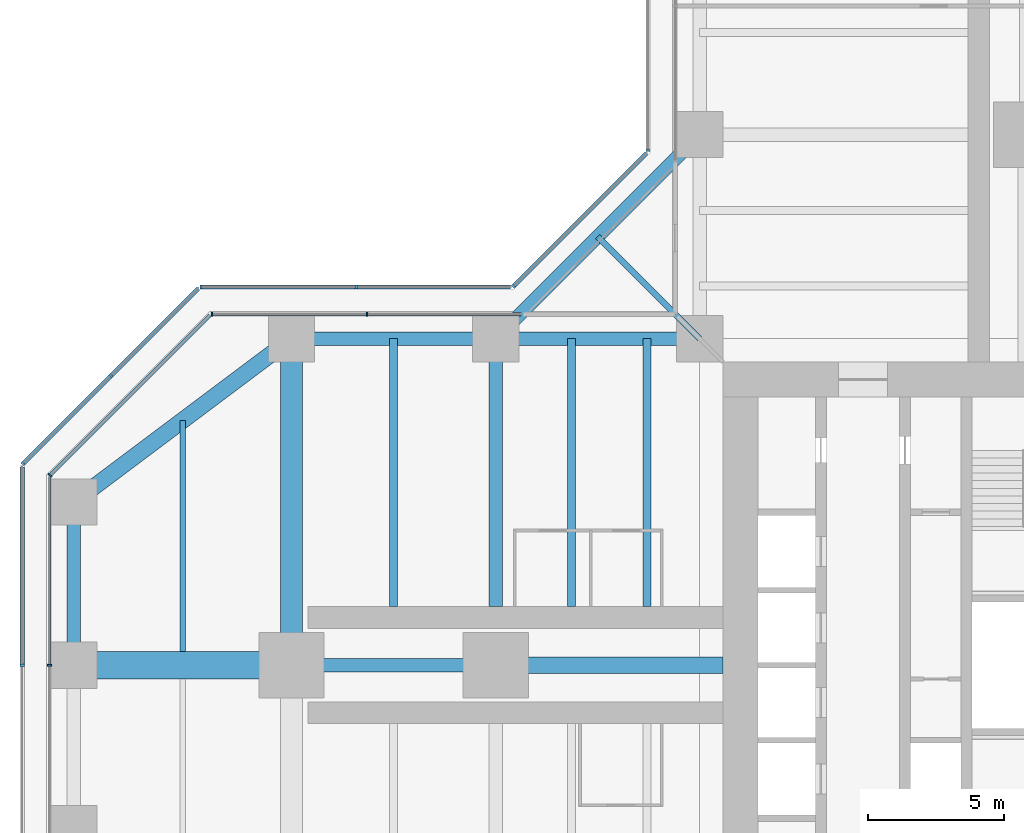
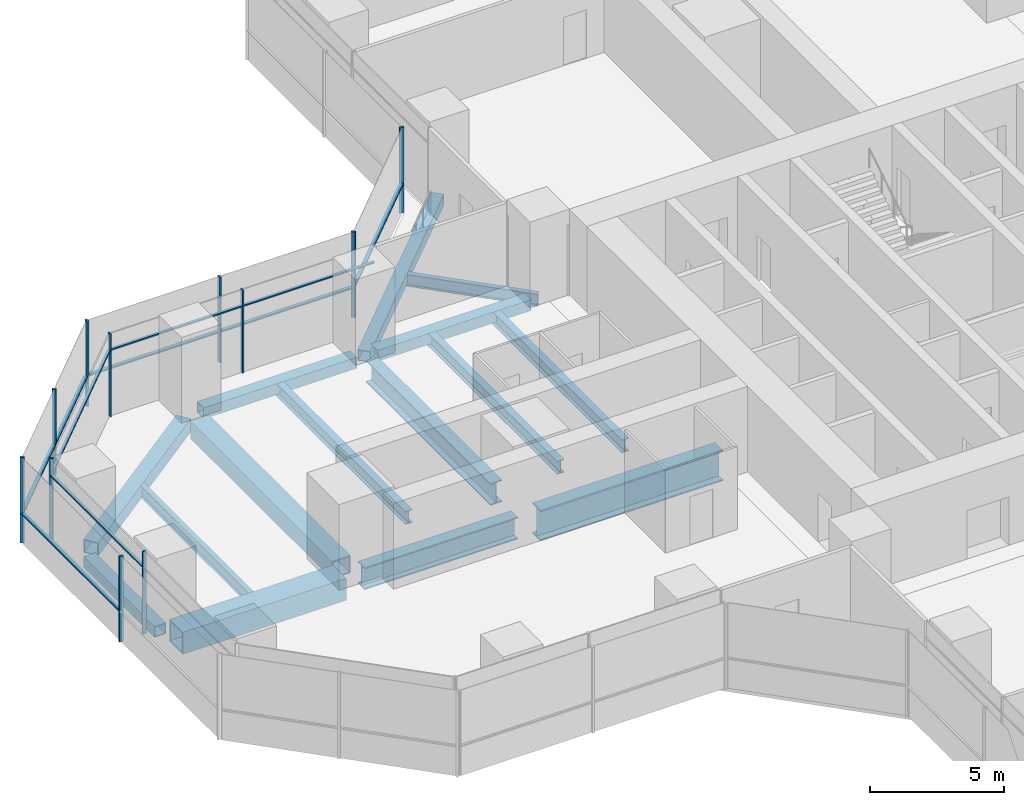
# One storey, part 8 of 22: 21 members, 15 beams, 8 elements without a shape of their own.
"""IFC4 building model written with IfcOpenShell, lengths in metres."""

from ifc_helpers import new_model, si_unit, direction, frame, origin, origin_2d, place, context, subcontext, project, spatial, rectangle, hollow_rectangle, i_section, extrude, material, material_profile, profile_set, type_object, element, aggregate, save


model = new_model("IFC4")

# Units and contexts
model_context = context("Model", 3, precision=1e-05, world=origin(), true_north=direction((0.0, 1.0)))
body_context = subcontext(model_context, "Body", "Model", "MODEL_VIEW")
ifc_project = project(units=[si_unit("LENGTHUNIT", "METRE"), si_unit("AREAUNIT", "SQUARE_METRE"), si_unit("VOLUMEUNIT", "CUBIC_METRE"), si_unit("PLANEANGLEUNIT", "RADIAN"), si_unit("MASSUNIT", "GRAM", prefix="KILO")], contexts=[model_context])

# Site, building, storey
site_placement = place(None, origin())
site = spatial("IfcSite", under=ifc_project, at=site_placement, CompositionType="ELEMENT")
building_placement = place(site_placement, origin())
building = spatial("IfcBuilding", under=site, at=building_placement, Name="Mizan Broadcast Tower", CompositionType="ELEMENT")
storey_placement = place(building_placement, frame((0.0, 0.0, 94.199951171875)))
storey = spatial("IfcBuildingStorey", under=building, at=storey_placement, Name="L20", CompositionType="ELEMENT", Elevation=94.199951171875)

# Beams
ifc_material_1 = material(Name="Steel S355", Category="steel")
ifc_material_profile_1 = material_profile(ifc_material_1, hollow_rectangle(XDim=0.5, YDim=0.5, WallThickness=0.030029296875, at=origin_2d()), Name="BOX 500x500x30")
ifc_profile_set_1 = profile_set([ifc_material_profile_1], Name="Steel S355")
beam_type_1 = type_object("IfcBeamType", Name="EDGE BEAM BOX 500x500x30", PredefinedType="SPANDREL", material=ifc_profile_set_1)
for number, where, z_axis, x_axis, name in (
    (1, (-12.449951171875, 12.0, -0.3798828125), (-1.0, 0.0, 0.0), (0.0, -1.0, 0.0), "Edge beam BOX 500x500x30 L20 west arm"),
    (2, (-19.949951171875, 12.0, -0.3798828125), (-1.0, 0.0, 0.0), (0.0, -1.0, 0.0), "Edge beam BOX 500x500x30 L20 west arm"),
):
    element("IfcBeam", number, at=place(storey_placement, frame(where, z_axis=z_axis, x_axis=x_axis)), inside=storey, type_object=beam_type_1, Name=name, PredefinedType="SPANDREL", context=body_context, shape_type="SweptSolid", body=[
        extrude(hollow_rectangle(XDim=0.5, YDim=0.5, WallThickness=0.030029296875, at=origin_2d()), origin(), (0.0, 0.0, 1.0), 6.60009765625),
    ])
beam_1_placement = place(storey_placement, frame((-35.0, 5.639892578125, -0.3798828125), z_axis=(0.0, -1.0, 0.0), x_axis=(1.0, 0.0, 0.0)))
element("IfcBeam", 3, at=beam_1_placement, inside=storey, type_object=beam_type_1, Name="Edge beam BOX 500x500x30 L20 west arm", PredefinedType="SPANDREL", context=body_context, shape_type="SweptSolid", body=[
    extrude(hollow_rectangle(XDim=0.5, YDim=0.5, WallThickness=0.030029296875, at=origin_2d()), origin(), (0.0, 0.0, 1.0), 5.27978515625),
])
beam_2_placement = place(storey_placement, frame((-12.0, 19.5, -0.3798828125), z_axis=(-0.707106781187, -0.707106781187, 0.0), x_axis=(0.707106781187, -0.707106781187, 0.0)))
element("IfcBeam", 4, at=beam_2_placement, inside=storey, type_object=beam_type_1, Name="Winter garden edge beam L20 N", PredefinedType="SPANDREL", context=body_context, shape_type="SweptSolid", body=[
    extrude(hollow_rectangle(XDim=0.5, YDim=0.5, WallThickness=0.030029296875, at=origin_2d()), origin(), (0.0, 0.0, 1.0), 10.606689453125),
])
ifc_material_2 = material(Name="Steel S355", Category="steel")
ifc_material_profile_2 = material_profile(ifc_material_2, hollow_rectangle(XDim=0.60009765625, YDim=0.60009765625, WallThickness=0.030029296875, at=origin_2d()), Name="BOX 600x600x30")
ifc_profile_set_2 = profile_set([ifc_material_profile_2], Name="Steel S355")
beam_type_2 = type_object("IfcBeamType", Name="EDGE BEAM BOX 600x600x30", PredefinedType="SPANDREL", material=ifc_profile_set_2)
beam_3_placement = place(storey_placement, frame((-27.47998046875, 11.639892578125, -0.429931640625), z_axis=(-0.800013316712, -0.599982243973, 0.0), x_axis=(0.599982243973, -0.800013316712, 0.0)))
element("IfcBeam", 5, at=beam_3_placement, inside=storey, type_object=beam_type_2, Name="Edge beam BOX 600x600x30 L20 west arm", PredefinedType="SPANDREL", context=body_context, shape_type="SweptSolid", body=[
    extrude(hollow_rectangle(XDim=0.60009765625, YDim=0.60009765625, WallThickness=0.030029296875, at=origin_2d()), origin(), (0.0, 0.0, 1.0), 8.7998046875),
])
ifc_material_3 = material(Name="Steel S460", Category="steel")
ifc_material_profile_3 = material_profile(ifc_material_3, hollow_rectangle(XDim=1.0, YDim=1.0, WallThickness=0.06005859375, at=origin_2d()), Name="BOX 1000x1000x60")
ifc_profile_set_3 = profile_set([ifc_material_profile_3], Name="Steel S460")
beam_type_3 = type_object("IfcBeamType", Name="GIRDER BOX 1000x1000x60", PredefinedType="BEAM", material=ifc_profile_set_3)
beam_4_placement = place(storey_placement, frame((-27.47998046875, 0.0, -0.6298828125), z_axis=(-1.0, 0.0, 0.0), x_axis=(0.0, -1.0, 0.0)))
element("IfcBeam", 6, at=beam_4_placement, inside=storey, type_object=beam_type_3, Name="Girder BOX 1000x1000x60 L20 west arm", PredefinedType="BEAM", context=body_context, shape_type="SweptSolid", body=[
    extrude(hollow_rectangle(XDim=1.0, YDim=1.0, WallThickness=0.06005859375, at=origin_2d()), origin(), (0.0, 0.0, 1.0), 7.0400390625),
])
ifc_material_4 = material(Name="Steel S460", Category="steel")
ifc_material_profile_4 = material_profile(ifc_material_4, hollow_rectangle(XDim=0.800048828125, YDim=0.800048828125, WallThickness=0.050048828125, at=origin_2d()), Name="BOX 800x800x50")
ifc_profile_set_4 = profile_set([ifc_material_profile_4], Name="Steel S460")
beam_type_4 = type_object("IfcBeamType", Name="GIRDER BOX 800x800x50", PredefinedType="BEAM", material=ifc_profile_set_4)
beam_5_placement = place(storey_placement, frame((-27.0, 11.280029296875, -0.530029296875), z_axis=(0.0, -1.0, 0.0), x_axis=(1.0, 0.0, 0.0)))
element("IfcBeam", 7, at=beam_5_placement, inside=storey, type_object=beam_type_4, Name="Girder BOX 800x800x50 L20 west arm", PredefinedType="BEAM", context=body_context, shape_type="SweptSolid", body=[
    extrude(hollow_rectangle(XDim=0.800048828125, YDim=0.800048828125, WallThickness=0.050048828125, at=origin_2d()), origin(), (0.0, 0.0, 1.0), 10.56005859375),
])
ifc_material_5 = material(Name="Steel S460", Category="steel")
ifc_material_profile_5 = material_profile(ifc_material_5, i_section(OverallWidth=0.5, OverallDepth=1.0, WebThickness=0.02490234375, FlangeThickness=0.050048828125, at=origin_2d()), Name="WPG 1000x500")
ifc_profile_set_5 = profile_set([ifc_material_profile_5], Name="Steel S460")
beam_type_5 = type_object("IfcBeamType", Name="GIRDER WPG 1000x500", PredefinedType="BEAM", material=ifc_profile_set_5)
beam_6_placement = place(storey_placement, frame((-19.949951171875, 0.0, -0.6298828125), z_axis=(-1.0, 0.0, 0.0), x_axis=(0.0, -1.0, 0.0)))
element("IfcBeam", 8, at=beam_6_placement, inside=storey, type_object=beam_type_5, Name="Girder WPG 1000x500 L20 west arm", PredefinedType="BEAM", context=body_context, shape_type="SweptSolid", body=[
    extrude(i_section(OverallWidth=0.5, OverallDepth=1.0, WebThickness=0.02490234375, FlangeThickness=0.050048828125, at=origin_2d()), origin(), (0.0, 0.0, 1.0), 6.60009765625),
])
beam_7_placement = place(storey_placement, frame((-19.5, 11.408935546875, -0.6298828125), z_axis=(0.0, -1.0, 0.0), x_axis=(1.0, 0.0, 0.0)))
element("IfcBeam", 9, at=beam_7_placement, inside=storey, type_object=beam_type_5, Name="Girder WPG 1000x500 L20 west arm", PredefinedType="BEAM", context=body_context, shape_type="SweptSolid", body=[
    extrude(i_section(OverallWidth=0.5, OverallDepth=1.0, WebThickness=0.02490234375, FlangeThickness=0.050048828125, at=origin_2d()), origin(), (0.0, 0.0, 1.0), 9.259033203125),
])
ifc_material_6 = material(Name="Steel S460", Category="steel")
ifc_material_profile_6 = material_profile(ifc_material_6, i_section(OverallWidth=0.60009765625, OverallDepth=1.39990234375, WebThickness=0.02490234375, FlangeThickness=0.06005859375, at=origin_2d()), Name="WPG 1400x600")
ifc_profile_set_6 = profile_set([ifc_material_profile_6], Name="Steel S460")
beam_type_6 = type_object("IfcBeamType", Name="GIRDER WPG 1400x600", PredefinedType="BEAM", material=ifc_profile_set_6)
beam_8_placement = place(storey_placement, frame((-11.14990234375, 0.0, -0.829833984375), z_axis=(-1.0, 0.0, 0.0), x_axis=(0.0, -1.0, 0.0)))
element("IfcBeam", 10, at=beam_8_placement, inside=storey, type_object=beam_type_6, Name="Girder WPG 1400x600 L20 west arm", PredefinedType="BEAM", context=body_context, shape_type="SweptSolid", body=[
    extrude(i_section(OverallWidth=0.60009765625, OverallDepth=1.39990234375, WebThickness=0.02490234375, FlangeThickness=0.06005859375, at=origin_2d()), origin(), (0.0, 0.0, 1.0), 7.84912109375),
])

# Curtain wall, members
ifc_material_7 = material(Name="Aluminium framed glazing", Category="aluminium")
curtain_wall_type_1 = type_object("IfcCurtainWallType", Name="INNER SKIN LOW ZONE", PredefinedType="USERDEFINED", material=ifc_material_7)
curtain_wall_1_placement = place(storey_placement, origin())
curtain_wall_1 = element("IfcCurtainWall", 11, at=curtain_wall_1_placement, inside=storey, type_object=curtain_wall_type_1, Name="Inner skin low zone L20 W side", ObjectType="INNER SKIN LOW ZONE", PredefinedType="USERDEFINED")
ifc_material_8 = material(Name="Aluminium, pale anodised", Category="aluminium")
ifc_material_profile_7 = material_profile(ifc_material_8, rectangle(XDim=0.159912109375, YDim=0.06005859375, at=origin_2d()), Name="MULLION 160x60")
ifc_profile_set_7 = profile_set([ifc_material_profile_7], Name="Aluminium, pale anodised")
member_type_1 = type_object("IfcMemberType", Name="INNER SKIN MULLION 60x160", PredefinedType="MULLION", material=ifc_profile_set_7)
member_1_placement = place(storey_placement, frame((-24.229248046875, 12.89990234375, 0.0), z_axis=(0.0, 0.0, 1.0), x_axis=(0.0, -1.0, 0.0)))
member_1 = element("IfcMember", 12, at=member_1_placement, type_object=member_type_1, Name="Inner skin low zone L20 W side mullion 2", PredefinedType="MULLION", context=body_context, shape_type="SweptSolid", body=[
    extrude(rectangle(XDim=0.159912109375, YDim=0.06005859375, at=origin_2d()), origin(), (0.0, 0.0, 1.0), 3.77001953125),
])
member_2_placement = place(storey_placement, frame((-29.928466796875, 12.89990234375, 0.0), z_axis=(0.0, 0.0, 1.0), x_axis=(0.0, -1.0, 0.0)))
member_2 = element("IfcMember", 13, at=member_2_placement, type_object=member_type_1, Name="Inner skin low zone L20 W side mullion 3", PredefinedType="MULLION", context=body_context, shape_type="SweptSolid", body=[
    extrude(rectangle(XDim=0.159912109375, YDim=0.06005859375, at=origin_2d()), origin(), (0.0, 0.0, 1.0), 3.77001953125),
])

# Curtain wall, member
curtain_wall_2_placement = place(storey_placement, origin())
curtain_wall_2 = element("IfcCurtainWall", 14, at=curtain_wall_2_placement, inside=storey, type_object=curtain_wall_type_1, Name="Inner skin low zone L20 W chamfer", ObjectType="INNER SKIN LOW ZONE", PredefinedType="USERDEFINED")
member_3_placement = place(storey_placement, frame((-35.87890625, 6.979736328125, 0.0), z_axis=(0.0, 0.0, 1.0), x_axis=(0.707106781187, -0.707106781187, 0.0)))
member_3 = element("IfcMember", 15, at=member_3_placement, type_object=member_type_1, Name="Inner skin low zone L20 W chamfer mullion 2", PredefinedType="MULLION", context=body_context, shape_type="SweptSolid", body=[
    extrude(rectangle(XDim=0.159912109375, YDim=0.06005859375, at=origin_2d()), origin(), (0.0, 0.0, 1.0), 3.77001953125),
])

curtain_wall_3_placement = place(storey_placement, origin())
curtain_wall_3 = element("IfcCurtainWall", 16, at=curtain_wall_3_placement, inside=storey, type_object=curtain_wall_type_1, Name="Inner skin low zone L20 W end", ObjectType="INNER SKIN LOW ZONE", PredefinedType="USERDEFINED")
member_4_placement = place(storey_placement, frame((-35.89990234375, 0.0, 0.0), z_axis=(0.0, 0.0, 1.0), x_axis=(1.0, 0.0, 0.0)))
member_4 = element("IfcMember", 17, at=member_4_placement, type_object=member_type_1, Name="Inner skin low zone L20 W end mullion 2", PredefinedType="MULLION", context=body_context, shape_type="SweptSolid", body=[
    extrude(rectangle(XDim=0.159912109375, YDim=0.06005859375, at=origin_2d()), origin(), (0.0, 0.0, 1.0), 3.77001953125),
])

# Member
ifc_material_9 = material(Name="Aluminium, pale anodised", Category="aluminium")
ifc_material_profile_8 = material_profile(ifc_material_9, rectangle(XDim=0.1201171875, YDim=0.06005859375, at=origin_2d()), Name="TRANSOM 120x60")
ifc_profile_set_8 = profile_set([ifc_material_profile_8], Name="Aluminium, pale anodised")
member_type_2 = type_object("IfcMemberType", Name="INNER SKIN TRANSOM 60x120", PredefinedType="USERDEFINED", material=ifc_profile_set_8)
member_5_placement = place(storey_placement, frame((-18.56005859375, 12.89990234375, 3.030029296875), z_axis=(-1.0, 0.0, 0.0), x_axis=(0.0, -1.0, 0.0)))
member_5 = element("IfcMember", 18, at=member_5_placement, type_object=member_type_2, Name="Inner skin low zone L20 W side transom 1.1", ObjectType="TRANSOM", PredefinedType="USERDEFINED", context=body_context, shape_type="SweptSolid", body=[
    extrude(rectangle(XDim=0.1201171875, YDim=0.06005859375, at=origin_2d()), origin(), (0.0, 0.0, 1.0), 5.63916015625),
])

member_6_placement = place(storey_placement, frame((-24.25927734375, 12.89990234375, 3.030029296875), z_axis=(-1.0, 0.0, 0.0), x_axis=(0.0, -1.0, 0.0)))
member_6 = element("IfcMember", 19, at=member_6_placement, type_object=member_type_2, Name="Inner skin low zone L20 W side transom 2.1", ObjectType="TRANSOM", PredefinedType="USERDEFINED", context=body_context, shape_type="SweptSolid", body=[
    extrude(rectangle(XDim=0.1201171875, YDim=0.06005859375, at=origin_2d()), origin(), (0.0, 0.0, 1.0), 5.639404296875),
])

aggregate(curtain_wall_1, [member_1, member_2, member_5, member_6])

member_7_placement = place(storey_placement, frame((-30.0009765625, 12.857666015625, 3.030029296875), z_axis=(-0.707106781187, -0.707106781187, 0.0), x_axis=(0.707106781187, -0.707106781187, 0.0)))
member_7 = element("IfcMember", 20, at=member_7_placement, type_object=member_type_2, Name="Inner skin low zone L20 W chamfer transom 1.1", ObjectType="TRANSOM", PredefinedType="USERDEFINED", context=body_context, shape_type="SweptSolid", body=[
    extrude(rectangle(XDim=0.1201171875, YDim=0.06005859375, at=origin_2d()), origin(), (0.0, 0.0, 1.0), 8.28271484375),
])

aggregate(curtain_wall_2, [member_3, member_7])

member_8_placement = place(storey_placement, frame((-35.89990234375, 6.898681640625, 3.030029296875), z_axis=(0.0, -1.0, 0.0), x_axis=(1.0, 0.0, 0.0)))
member_8 = element("IfcMember", 21, at=member_8_placement, type_object=member_type_2, Name="Inner skin low zone L20 W end transom 1.1", ObjectType="TRANSOM", PredefinedType="USERDEFINED", context=body_context, shape_type="SweptSolid", body=[
    extrude(rectangle(XDim=0.1201171875, YDim=0.06005859375, at=origin_2d()), origin(), (0.0, 0.0, 1.0), 6.86865234375),
])

aggregate(curtain_wall_3, [member_4, member_8])

# Curtain wall, member
ifc_material_10 = material(Name="Aluminium framed glazing", Category="aluminium")
curtain_wall_type_2 = type_object("IfcCurtainWallType", Name="OUTER SKIN", PredefinedType="USERDEFINED", material=ifc_material_10)
curtain_wall_4_placement = place(storey_placement, origin())
curtain_wall_4 = element("IfcCurtainWall", 22, at=curtain_wall_4_placement, inside=storey, type_object=curtain_wall_type_2, Name="Outer skin L20 N side", ObjectType="OUTER SKIN", PredefinedType="USERDEFINED")
ifc_material_11 = material(Name="Aluminium, pale anodised", Category="aluminium")
ifc_material_profile_9 = material_profile(ifc_material_11, rectangle(XDim=0.159912109375, YDim=0.080078125, at=origin_2d()), Name="MULLION 160x80")
ifc_profile_set_9 = profile_set([ifc_material_profile_9], Name="Aluminium, pale anodised")
member_type_3 = type_object("IfcMemberType", Name="OUTER SKIN MULLION 80x160", PredefinedType="MULLION", material=ifc_profile_set_9)
member_9_placement = place(storey_placement, frame((-13.89990234375, 18.912841796875, 0.0), z_axis=(0.0, 0.0, 1.0), x_axis=(1.0, 0.0, 0.0)))
member_9 = element("IfcMember", 23, at=member_9_placement, type_object=member_type_3, Name="Outer skin L20 N side mullion 3", PredefinedType="MULLION", context=body_context, shape_type="SweptSolid", body=[
    extrude(rectangle(XDim=0.159912109375, YDim=0.080078125, at=origin_2d()), origin(), (0.0, 0.0, 1.0), 3.900146484375),
])
aggregate(curtain_wall_4, [member_9])

curtain_wall_5_placement = place(storey_placement, origin())
curtain_wall_5 = element("IfcCurtainWall", 24, at=curtain_wall_5_placement, inside=storey, type_object=curtain_wall_type_2, Name="Outer skin L20 W chamfer", ObjectType="OUTER SKIN", PredefinedType="USERDEFINED")
member_10_placement = place(storey_placement, frame((-18.844482421875, 13.92822265625, 0.0), z_axis=(0.0, 0.0, 1.0), x_axis=(0.707106781187, -0.707106781187, 0.0)))
member_10 = element("IfcMember", 25, at=member_10_placement, type_object=member_type_3, Name="Outer skin L20 W chamfer mullion 2", PredefinedType="MULLION", context=body_context, shape_type="SweptSolid", body=[
    extrude(rectangle(XDim=0.159912109375, YDim=0.080078125, at=origin_2d()), origin(), (0.0, 0.0, 1.0), 3.900146484375),
])

# Curtain wall, members
curtain_wall_6_placement = place(storey_placement, origin())
curtain_wall_6 = element("IfcCurtainWall", 26, at=curtain_wall_6_placement, inside=storey, type_object=curtain_wall_type_2, Name="Outer skin L20 W side", ObjectType="OUTER SKIN", PredefinedType="USERDEFINED")
member_11_placement = place(storey_placement, frame((-24.622802734375, 13.89990234375, 0.0), z_axis=(0.0, 0.0, 1.0), x_axis=(0.0, -1.0, 0.0)))
member_11 = element("IfcMember", 27, at=member_11_placement, type_object=member_type_3, Name="Outer skin L20 W side mullion 2", PredefinedType="MULLION", context=body_context, shape_type="SweptSolid", body=[
    extrude(rectangle(XDim=0.159912109375, YDim=0.080078125, at=origin_2d()), origin(), (0.0, 0.0, 1.0), 3.900146484375),
])
member_12_placement = place(storey_placement, frame((-30.332763671875, 13.89990234375, 0.0), z_axis=(0.0, 0.0, 1.0), x_axis=(0.0, -1.0, 0.0)))
member_12 = element("IfcMember", 28, at=member_12_placement, type_object=member_type_3, Name="Outer skin L20 W side mullion 3", PredefinedType="MULLION", context=body_context, shape_type="SweptSolid", body=[
    extrude(rectangle(XDim=0.159912109375, YDim=0.080078125, at=origin_2d()), origin(), (0.0, 0.0, 1.0), 3.900146484375),
])

curtain_wall_7_placement = place(storey_placement, origin())
curtain_wall_7 = element("IfcCurtainWall", 29, at=curtain_wall_7_placement, inside=storey, type_object=curtain_wall_type_2, Name="Outer skin L20 W chamfer", ObjectType="OUTER SKIN", PredefinedType="USERDEFINED")
member_13_placement = place(storey_placement, frame((-33.636474609375, 10.636474609375, 0.0), z_axis=(0.0, 0.0, 1.0), x_axis=(0.707106781187, -0.707106781187, 0.0)))
member_13 = element("IfcMember", 30, at=member_13_placement, type_object=member_type_3, Name="Outer skin L20 W chamfer mullion 2", PredefinedType="MULLION", context=body_context, shape_type="SweptSolid", body=[
    extrude(rectangle(XDim=0.159912109375, YDim=0.080078125, at=origin_2d()), origin(), (0.0, 0.0, 1.0), 3.900146484375),
])
member_14_placement = place(storey_placement, frame((-36.871826171875, 7.401123046875, 0.0), z_axis=(0.0, 0.0, 1.0), x_axis=(0.707106781187, -0.707106781187, 0.0)))
member_14 = element("IfcMember", 31, at=member_14_placement, type_object=member_type_3, Name="Outer skin L20 W chamfer mullion 3", PredefinedType="MULLION", context=body_context, shape_type="SweptSolid", body=[
    extrude(rectangle(XDim=0.159912109375, YDim=0.080078125, at=origin_2d()), origin(), (0.0, 0.0, 1.0), 3.900146484375),
])

# Curtain wall, member
curtain_wall_8_placement = place(storey_placement, origin())
curtain_wall_8 = element("IfcCurtainWall", 32, at=curtain_wall_8_placement, inside=storey, type_object=curtain_wall_type_2, Name="Outer skin L20 W end", ObjectType="OUTER SKIN", PredefinedType="USERDEFINED")
member_15_placement = place(storey_placement, frame((-36.89990234375, 0.0, 0.0), z_axis=(0.0, 0.0, 1.0), x_axis=(1.0, 0.0, 0.0)))
member_15 = element("IfcMember", 33, at=member_15_placement, type_object=member_type_3, Name="Outer skin L20 W end mullion 2", PredefinedType="MULLION", context=body_context, shape_type="SweptSolid", body=[
    extrude(rectangle(XDim=0.159912109375, YDim=0.080078125, at=origin_2d()), origin(), (0.0, 0.0, 1.0), 3.900146484375),
])

# Member
ifc_material_12 = material(Name="Aluminium, pale anodised", Category="aluminium")
ifc_material_profile_10 = material_profile(ifc_material_12, rectangle(XDim=0.159912109375, YDim=0.06005859375, at=origin_2d()), Name="TRANSOM 160x60")
ifc_profile_set_10 = profile_set([ifc_material_profile_10], Name="Aluminium, pale anodised")
member_type_4 = type_object("IfcMemberType", Name="OUTER SKIN TRANSOM 60x160", PredefinedType="USERDEFINED", material=ifc_profile_set_10)
member_16_placement = place(storey_placement, frame((-13.95654296875, 18.816162109375, 1.400146484375), z_axis=(-0.707106781187, -0.707106781187, 0.0), x_axis=(0.707106781187, -0.707106781187, 0.0)))
member_16 = element("IfcMember", 34, at=member_16_placement, type_object=member_type_4, Name="Outer skin L20 W chamfer transom 1.1", ObjectType="TRANSOM", PredefinedType="USERDEFINED", context=body_context, shape_type="SweptSolid", body=[
    extrude(rectangle(XDim=0.159912109375, YDim=0.06005859375, at=origin_2d()), origin(), (0.0, 0.0, 1.0), 6.87255859375),
])

aggregate(curtain_wall_5, [member_10, member_16])

member_17_placement = place(storey_placement, frame((-18.952880859375, 13.89990234375, 1.400146484375), z_axis=(-1.0, 0.0, 0.0), x_axis=(0.0, -1.0, 0.0)))
member_17 = element("IfcMember", 35, at=member_17_placement, type_object=member_type_4, Name="Outer skin L20 W side transom 1.1", ObjectType="TRANSOM", PredefinedType="USERDEFINED", context=body_context, shape_type="SweptSolid", body=[
    extrude(rectangle(XDim=0.159912109375, YDim=0.06005859375, at=origin_2d()), origin(), (0.0, 0.0, 1.0), 5.6298828125),
])

member_18_placement = place(storey_placement, frame((-24.662841796875, 13.89990234375, 1.400146484375), z_axis=(-1.0, 0.0, 0.0), x_axis=(0.0, -1.0, 0.0)))
member_18 = element("IfcMember", 36, at=member_18_placement, type_object=member_type_4, Name="Outer skin L20 W side transom 2.1", ObjectType="TRANSOM", PredefinedType="USERDEFINED", context=body_context, shape_type="SweptSolid", body=[
    extrude(rectangle(XDim=0.159912109375, YDim=0.06005859375, at=origin_2d()), origin(), (0.0, 0.0, 1.0), 5.6298828125),
])

aggregate(curtain_wall_6, [member_11, member_12, member_17, member_18])

member_19_placement = place(storey_placement, frame((-30.429443359375, 13.843505859375, 1.400146484375), z_axis=(-0.707106781187, -0.707106781187, 0.0), x_axis=(0.707106781187, -0.707106781187, 0.0)))
member_19 = element("IfcMember", 37, at=member_19_placement, type_object=member_type_4, Name="Outer skin L20 W chamfer transom 1.1", ObjectType="TRANSOM", PredefinedType="USERDEFINED", context=body_context, shape_type="SweptSolid", body=[
    extrude(rectangle(XDim=0.159912109375, YDim=0.06005859375, at=origin_2d()), origin(), (0.0, 0.0, 1.0), 4.495361328125),
])

member_20_placement = place(storey_placement, frame((-33.664794921875, 10.608154296875, 1.400146484375), z_axis=(-0.707106781187, -0.707106781187, 0.0), x_axis=(0.707106781187, -0.707106781187, 0.0)))
member_20 = element("IfcMember", 38, at=member_20_placement, type_object=member_type_4, Name="Outer skin L20 W chamfer transom 2.1", ObjectType="TRANSOM", PredefinedType="USERDEFINED", context=body_context, shape_type="SweptSolid", body=[
    extrude(rectangle(XDim=0.159912109375, YDim=0.06005859375, at=origin_2d()), origin(), (0.0, 0.0, 1.0), 4.495361328125),
])

aggregate(curtain_wall_7, [member_13, member_14, member_19, member_20])

member_21_placement = place(storey_placement, frame((-36.89990234375, 7.292724609375, 1.400146484375), z_axis=(0.0, -1.0, 0.0), x_axis=(1.0, 0.0, 0.0)))
member_21 = element("IfcMember", 39, at=member_21_placement, type_object=member_type_4, Name="Outer skin L20 W end transom 1.1", ObjectType="TRANSOM", PredefinedType="USERDEFINED", context=body_context, shape_type="SweptSolid", body=[
    extrude(rectangle(XDim=0.159912109375, YDim=0.06005859375, at=origin_2d()), origin(), (0.0, 0.0, 1.0), 7.252685546875),
])

aggregate(curtain_wall_8, [member_15, member_21])

# Beams
ifc_material_13 = material(Name="Steel S355", Category="steel")
ifc_material_profile_11 = material_profile(ifc_material_13, i_section(OverallWidth=0.300048828125, OverallDepth=0.590087890625, WebThickness=0.012939453125, FlangeThickness=0.02490234375, FilletRadius=0.027099609375, at=origin_2d()), Name="HEA 600")
ifc_profile_set_11 = profile_set([ifc_material_profile_11], Name="Steel S355")
beam_type_7 = type_object("IfcBeamType", Name="SECONDARY BEAM HEA 600", PredefinedType="JOIST", material=ifc_profile_set_11)
for number, where, z_axis, x_axis, name in (
    (40, (-13.933349609375, 12.0, -0.425048828125), (0.0, -1.0, 0.0), (1.0, 0.0, 0.0), "Secondary beam HEA 600 L20 west arm"),
    (41, (-16.716552734375, 12.0, -0.425048828125), (0.0, -1.0, 0.0), (1.0, 0.0, 0.0), "Secondary beam HEA 600 L20 west arm"),
    (42, (-23.25, 12.0, -0.425048828125), (0.0, -1.0, 0.0), (1.0, 0.0, 0.0), "Secondary beam HEA 600 L20 west arm"),
):
    element("IfcBeam", number, at=place(storey_placement, frame(where, z_axis=z_axis, x_axis=x_axis)), inside=storey, type_object=beam_type_7, Name=name, PredefinedType="JOIST", context=body_context, shape_type="SweptSolid", body=[
        extrude(i_section(OverallWidth=0.300048828125, OverallDepth=0.590087890625, WebThickness=0.012939453125, FlangeThickness=0.02490234375, FilletRadius=0.027099609375, at=origin_2d()), origin(), (0.0, 0.0, 1.0), 9.85009765625),
    ])
ifc_material_14 = material(Name="Steel S355", Category="steel")
ifc_material_profile_12 = material_profile(ifc_material_14, i_section(OverallWidth=0.2099609375, OverallDepth=0.550048828125, WebThickness=0.010986328125, FlangeThickness=0.01708984375, FilletRadius=0.02392578125, at=origin_2d()), Name="IPE 550")
ifc_profile_set_12 = profile_set([ifc_material_profile_12], Name="Steel S355")
beam_type_8 = type_object("IfcBeamType", Name="SECONDARY BEAM IPE 550", PredefinedType="JOIST", material=ifc_profile_set_12)
beam_9_placement = place(storey_placement, frame((-31.0, 9.0, -0.405029296875), z_axis=(0.0, -1.0, 0.0), x_axis=(1.0, 0.0, 0.0)))
element("IfcBeam", 43, at=beam_9_placement, inside=storey, type_object=beam_type_8, Name="Secondary beam IPE 550 L20 west arm", PredefinedType="JOIST", context=body_context, shape_type="SweptSolid", body=[
    extrude(i_section(OverallWidth=0.2099609375, OverallDepth=0.550048828125, WebThickness=0.010986328125, FlangeThickness=0.01708984375, FilletRadius=0.02392578125, at=origin_2d()), origin(), (0.0, 0.0, 1.0), 8.5),
])
beam_10_placement = place(storey_placement, frame((-12.0, 12.0, -0.405029296875), z_axis=(-0.707106781187, 0.707106781187, 0.0), x_axis=(-0.707106781187, -0.707106781187, 0.0)))
element("IfcBeam", 44, at=beam_10_placement, inside=storey, type_object=beam_type_8, Name="Winter garden beam L20 N", PredefinedType="JOIST", context=body_context, shape_type="SweptSolid", body=[
    extrude(i_section(OverallWidth=0.2099609375, OverallDepth=0.550048828125, WebThickness=0.010986328125, FlangeThickness=0.01708984375, FilletRadius=0.02392578125, at=origin_2d()), origin(), (0.0, 0.0, 1.0), 5.30322265625),
])

save(model, "model.ifc")
